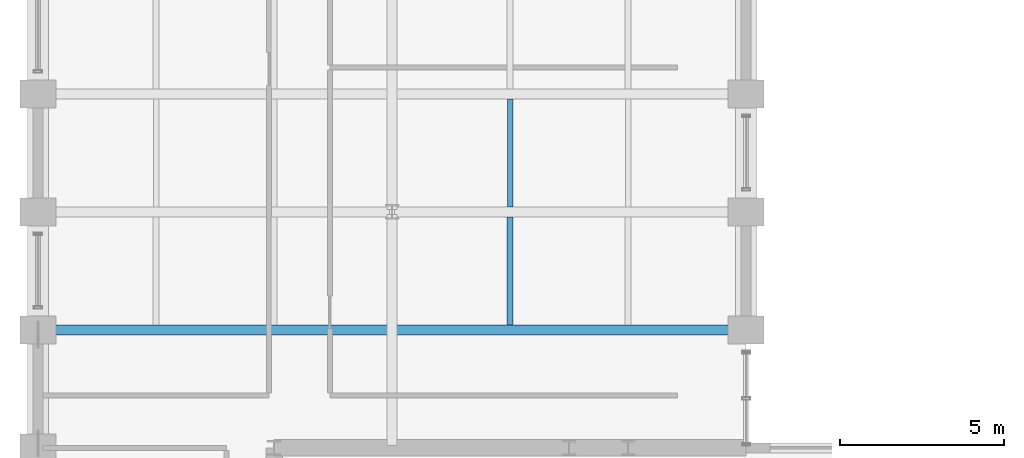
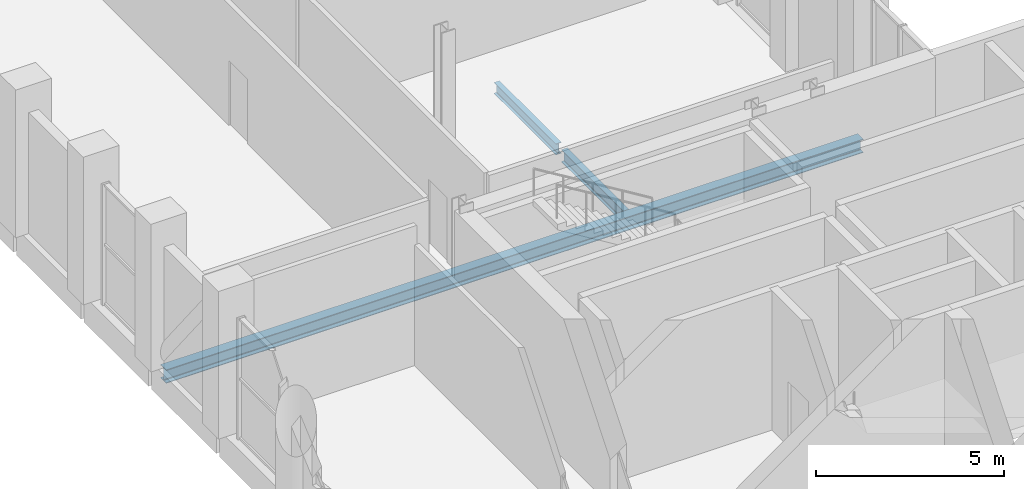
# One storey, part 6 of 22: 3 beams.
"""IFC4 building model written with IfcOpenShell, lengths in metres."""

from ifc_helpers import new_model, si_unit, direction, frame, origin, origin_2d, place, context, subcontext, project, spatial, i_section, extrude, material, material_profile, profile_set, type_object, element, save


model = new_model("IFC4")

# Units and contexts
model_context = context("Model", 3, precision=1e-05, world=origin(), true_north=direction((0.0, 1.0)))
body_context = subcontext(model_context, "Body", "Model", "MODEL_VIEW")
ifc_project = project(units=[si_unit("LENGTHUNIT", "METRE"), si_unit("AREAUNIT", "SQUARE_METRE"), si_unit("VOLUMEUNIT", "CUBIC_METRE"), si_unit("PLANEANGLEUNIT", "RADIAN"), si_unit("MASSUNIT", "GRAM", prefix="KILO")], contexts=[model_context])

# Site, building, storey
site_placement = place(None, origin())
site = spatial("IfcSite", under=ifc_project, at=site_placement, CompositionType="ELEMENT")
building_placement = place(site_placement, origin())
building = spatial("IfcBuilding", under=site, at=building_placement, Name="Solnavia Interchange Tower", CompositionType="ELEMENT")
storey_placement = place(building_placement, frame((0.0, 0.0, 115.199951171875)))
storey = spatial("IfcBuildingStorey", under=building, at=storey_placement, Name="L28", CompositionType="ELEMENT", Elevation=115.199951171875)

# Beams
ifc_material = material(Name="Steel S355", Category="steel")
ifc_material_profile_1 = material_profile(ifc_material, i_section(OverallWidth=0.169921875, OverallDepth=0.360107421875, WebThickness=0.008056640625, FlangeThickness=0.0126953125, FilletRadius=0.01806640625, at=origin_2d()), Name="IPE 360")
ifc_profile_set_1 = profile_set([ifc_material_profile_1], Name="Steel S355")
beam_type_1 = type_object("IfcBeamType", Name="Beam-Joist-IPE360", PredefinedType="JOIST", material=ifc_profile_set_1)
beam_1_placement = place(storey_placement, frame((21.60009765625, 32.550048828125, -0.5), z_axis=(0.0, 1.0, 0.0), x_axis=(-1.0, 0.0, 0.0)))
element("IfcBeam", 1, at=beam_1_placement, inside=storey, type_object=beam_type_1, Name="JST-L28-N24 North wing secondary joist", PredefinedType="JOIST", context=body_context, shape_type="SweptSolid", body=[
    extrude(i_section(OverallWidth=0.169921875, OverallDepth=0.360107421875, WebThickness=0.008056640625, FlangeThickness=0.0126953125, FilletRadius=0.01806640625, at=origin_2d()), origin(), (0.0, 0.0, 1.0), 3.300048828125),
])
ifc_material_profile_2 = material_profile(ifc_material, i_section(OverallWidth=0.179931640625, OverallDepth=0.39990234375, WebThickness=0.008544921875, FlangeThickness=0.013427734375, FilletRadius=0.02099609375, at=origin_2d()), Name="IPE 400")
ifc_profile_set_2 = profile_set([ifc_material_profile_2], Name="Steel S355")
beam_type_2 = type_object("IfcBeamType", Name="Beam-Joist-IPE400", PredefinedType="JOIST", material=ifc_profile_set_2)
beam_2_placement = place(storey_placement, frame((21.60009765625, 28.949951171875, -0.52001953125), z_axis=(0.0, 1.0, 0.0), x_axis=(-1.0, 0.0, 0.0)))
element("IfcBeam", 2, at=beam_2_placement, inside=storey, type_object=beam_type_2, Name="JST-L28-N23 North wing secondary joist", PredefinedType="JOIST", context=body_context, shape_type="SweptSolid", body=[
    extrude(i_section(OverallWidth=0.179931640625, OverallDepth=0.39990234375, WebThickness=0.008544921875, FlangeThickness=0.013427734375, FilletRadius=0.02099609375, at=origin_2d()), origin(), (0.0, 0.0, 1.0), 3.300048828125),
])
ifc_material_profile_3 = material_profile(ifc_material, i_section(OverallWidth=0.300048828125, OverallDepth=0.43994140625, WebThickness=0.011474609375, FlangeThickness=0.02099609375, FilletRadius=0.027099609375, at=origin_2d()), Name="HEA 450")
ifc_profile_set_3 = profile_set([ifc_material_profile_3], Name="Steel S355")
beam_type_3 = type_object("IfcBeamType", Name="Beam-Primary-HEA450", PredefinedType="BEAM", material=ifc_profile_set_3)
beam_3_placement = place(storey_placement, frame((7.280029296875, 28.800048828125, -0.5400390625), z_axis=(1.0, 0.0, 0.0), x_axis=(0.0, 1.0, 0.0)))
element("IfcBeam", 3, at=beam_3_placement, inside=storey, type_object=beam_type_3, Name="GRD-L28-NW14 North wing primary floor girder", PredefinedType="BEAM", context=body_context, shape_type="SweptSolid", body=[
    extrude(i_section(OverallWidth=0.300048828125, OverallDepth=0.43994140625, WebThickness=0.011474609375, FlangeThickness=0.02099609375, FilletRadius=0.027099609375, at=origin_2d()), origin(), (0.0, 0.0, 1.0), 21.43994140625),
])

save(model, "model.ifc")
